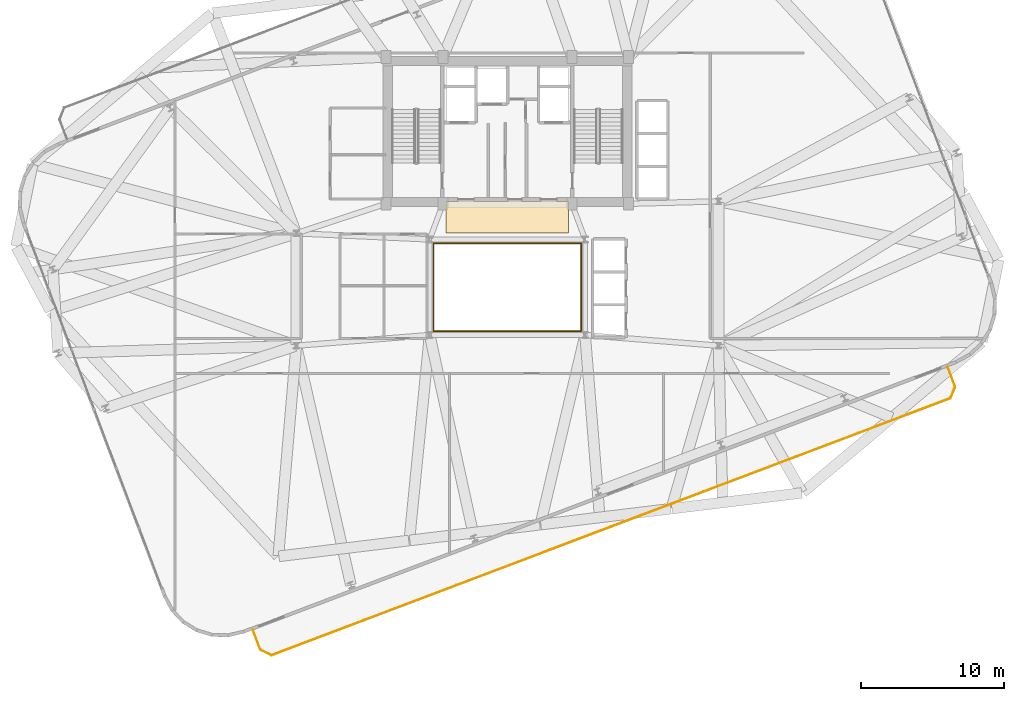
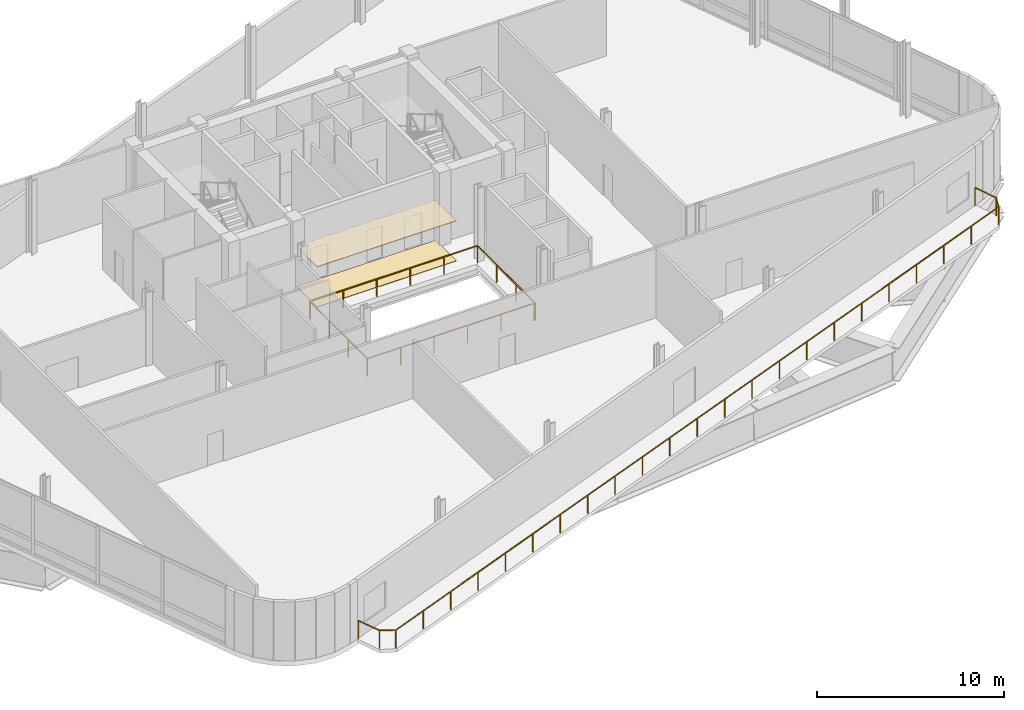
# One storey, part 16 of 19: 3 railings, 2 coverings.
"""IFC4 building model written with IfcOpenShell, lengths in metres."""

from ifc_helpers import new_model, si_unit, direction, frame, origin, origin_2d, place, context, subcontext, project, spatial, rectangle, circle, extrude, source, transform, mapped, material, layer, layer_set, type_object, element, save


model = new_model("IFC4")

# Units and contexts
model_context = context("Model", 3, precision=1e-05, world=origin(), true_north=direction((0.0, 1.0)))
body_context = subcontext(model_context, "Body", "Model", "MODEL_VIEW")
ifc_project = project(units=[si_unit("LENGTHUNIT", "METRE"), si_unit("AREAUNIT", "SQUARE_METRE"), si_unit("VOLUMEUNIT", "CUBIC_METRE"), si_unit("PLANEANGLEUNIT", "RADIAN"), si_unit("MASSUNIT", "GRAM", prefix="KILO")], contexts=[model_context])

# Site, building, storey
site_placement = place(None, origin())
site = spatial("IfcSite", under=ifc_project, at=site_placement, CompositionType="ELEMENT")
building_placement = place(site_placement, origin())
building = spatial("IfcBuilding", under=site, at=building_placement, Name="Varnelok Gate Tower", CompositionType="ELEMENT")
storey_placement = place(building_placement, frame((0.0, 0.0, 207.89990234375)))
storey = spatial("IfcBuildingStorey", under=building, at=storey_placement, Name="L53", CompositionType="ELEMENT", Elevation=207.89990234375)

# Railings
ifc_material_1 = material(Name="Tempered Laminated Balustrade Glass", Category="glass")
railing_type_1 = type_object("IfcRailingType", Name="RL-ATR-GUARD1150", PredefinedType="GUARDRAIL", material=ifc_material_1)
railing_1_placement = place(storey_placement, frame((34.02001953125, 25.929931640625, 0.0)))
element("IfcRailing", 1, at=railing_1_placement, inside=storey, type_object=railing_type_1, Name="L53 Internal Atrium South-West Guardrail", PredefinedType="GUARDRAIL", context=body_context, shape_type="SweptSolid", body=[
    extrude(circle(Radius=0.02392578125, at=origin_2d()), frame((0.0, 0.0, 1.1259765625), z_axis=(0.0, -1.0, 0.0), x_axis=(1.0, 0.0, 0.0)), (0.0, 0.0, 1.0), 6.10986328125),
    extrude(circle(Radius=0.02392578125, at=origin_2d()), frame((0.0, -6.10986328125, 1.1259765625), z_axis=(1.0, 0.0, 0.0), x_axis=(0.0, 1.0, 0.0)), (0.0, 0.0, 1.0), 10.31005859375),
    extrude(circle(Radius=0.02099609375, at=origin_2d()), origin(), (0.0, 0.0, 1.0), 1.101806640625),
    extrude(circle(Radius=0.02099609375, at=origin_2d()), frame((0.0, -2.03662109375, 0.0)), (0.0, 0.0, 1.0), 1.101806640625),
    extrude(circle(Radius=0.02099609375, at=origin_2d()), frame((0.0, -4.0732421875, 0.0)), (0.0, 0.0, 1.0), 1.101806640625),
    extrude(circle(Radius=0.02099609375, at=origin_2d()), frame((0.0, -6.10986328125, 0.0)), (0.0, 0.0, 1.0), 1.101806640625),
    extrude(circle(Radius=0.02099609375, at=origin_2d()), frame((2.06201171875, -6.10986328125, 0.0)), (0.0, 0.0, 1.0), 1.101806640625),
    extrude(circle(Radius=0.02099609375, at=origin_2d()), frame((4.1240234375, -6.10986328125, 0.0)), (0.0, 0.0, 1.0), 1.101806640625),
    extrude(circle(Radius=0.02099609375, at=origin_2d()), frame((6.18603515625, -6.10986328125, 0.0)), (0.0, 0.0, 1.0), 1.101806640625),
    extrude(circle(Radius=0.02099609375, at=origin_2d()), frame((8.248046875, -6.10986328125, 0.0)), (0.0, 0.0, 1.0), 1.101806640625),
    extrude(circle(Radius=0.02099609375, at=origin_2d()), frame((10.31005859375, -6.10986328125, 0.0)), (0.0, 0.0, 1.0), 1.101806640625),
])
railing_2_placement = place(storey_placement, frame((44.3798828125, 19.820068359375, 0.0)))
element("IfcRailing", 2, at=railing_2_placement, inside=storey, type_object=railing_type_1, Name="L53 Internal Atrium North-East Guardrail", PredefinedType="GUARDRAIL", context=body_context, shape_type="SweptSolid", body=[
    extrude(circle(Radius=0.02392578125, at=origin_2d()), frame((0.0, 0.0, 1.1259765625), z_axis=(0.0, 1.0, 0.0), x_axis=(-1.0, 0.0, 0.0)), (0.0, 0.0, 1.0), 6.159912109375),
    extrude(circle(Radius=0.02392578125, at=origin_2d()), frame((0.0, 6.159912109375, 1.1259765625), z_axis=(-1.0, 0.0, 0.0), x_axis=(0.0, -1.0, 0.0)), (0.0, 0.0, 1.0), 10.35986328125),
    extrude(circle(Radius=0.02099609375, at=origin_2d()), origin(), (0.0, 0.0, 1.0), 1.101806640625),
    extrude(circle(Radius=0.02099609375, at=origin_2d()), frame((0.0, 2.05322265625, 0.0)), (0.0, 0.0, 1.0), 1.101806640625),
    extrude(circle(Radius=0.02099609375, at=origin_2d()), frame((0.0, 4.106689453125, 0.0)), (0.0, 0.0, 1.0), 1.101806640625),
    extrude(circle(Radius=0.02099609375, at=origin_2d()), frame((0.0, 6.159912109375, 0.0)), (0.0, 0.0, 1.0), 1.101806640625),
    extrude(circle(Radius=0.02099609375, at=origin_2d()), frame((-2.072021484375, 6.159912109375, 0.0)), (0.0, 0.0, 1.0), 1.101806640625),
    extrude(circle(Radius=0.02099609375, at=origin_2d()), frame((-4.14404296875, 6.159912109375, 0.0)), (0.0, 0.0, 1.0), 1.101806640625),
    extrude(circle(Radius=0.02099609375, at=origin_2d()), frame((-6.2158203125, 6.159912109375, 0.0)), (0.0, 0.0, 1.0), 1.101806640625),
    extrude(circle(Radius=0.02099609375, at=origin_2d()), frame((-8.287841796875, 6.159912109375, 0.0)), (0.0, 0.0, 1.0), 1.101806640625),
    extrude(circle(Radius=0.02099609375, at=origin_2d()), frame((-10.35986328125, 6.159912109375, 0.0)), (0.0, 0.0, 1.0), 1.101806640625),
])
ifc_material_2 = material(Name="Anodized Aluminum Alloy 6063-T6", Category="aluminium")
railing_type_2 = type_object("IfcRailingType", Name="RL-SKYG-1200", PredefinedType="GUARDRAIL", material=ifc_material_2)
railing_3_placement = place(storey_placement, frame((21.361572265625, -1.1279296875, 0.0)))
element("IfcRailing", 3, at=railing_3_placement, inside=storey, type_object=railing_type_2, Name="L53 South Terrace Balustrade 1", PredefinedType="GUARDRAIL", context=body_context, shape_type="SweptSolid", body=[
    extrude(circle(Radius=0.02392578125, at=origin_2d()), frame((0.0, 0.0, 1.17578125), z_axis=(0.354088417467, -0.935211950638, 0.0), x_axis=(0.935211950638, 0.354088417467, 0.0)), (0.0, 0.0, 1.0), 1.469970703125),
    extrude(circle(Radius=0.02392578125, at=origin_2d()), frame((0.5205078125, -1.374755859375, 1.17578125), z_axis=(0.89078254773, -0.454429810487, 0.0), x_axis=(0.454429810487, 0.89078254773, 0.0)), (0.0, 0.0, 1.0), 0.8779296875),
    extrude(circle(Radius=0.02392578125, at=origin_2d()), frame((1.302490234375, -1.773681640625, 1.17578125), z_axis=(0.935222094944, 0.35406162335, 0.0), x_axis=(-0.35406162335, 0.935222094944, 0.0)), (0.0, 0.0, 1.0), 50.89990234375),
    extrude(circle(Radius=0.02392578125, at=origin_2d()), frame((48.9052734375, 16.248046875, 1.17578125), z_axis=(0.366254584666, 0.930514685113, 0.0), x_axis=(-0.930514685113, 0.366254584666, 0.0)), (0.0, 0.0, 1.0), 0.8779296875),
    extrude(circle(Radius=0.02392578125, at=origin_2d()), frame((49.226806640625, 17.06494140625, 1.17578125), z_axis=(-0.354088417467, 0.935211950638, 0.0), x_axis=(-0.935211950638, -0.354088417467, 0.0)), (0.0, 0.0, 1.0), 1.469970703125),
    extrude(circle(Radius=0.02099609375, at=origin_2d()), origin(), (0.0, 0.0, 1.0), 1.15185546875),
    extrude(circle(Radius=0.02099609375, at=origin_2d()), frame((0.5205078125, -1.374755859375, 0.0)), (0.0, 0.0, 1.0), 1.15185546875),
    extrude(circle(Radius=0.02099609375, at=origin_2d()), frame((1.302490234375, -1.773681640625, 0.0)), (0.0, 0.0, 1.0), 1.15185546875),
    extrude(circle(Radius=0.02099609375, at=origin_2d()), frame((3.46630859375, -0.95458984375, 0.0)), (0.0, 0.0, 1.0), 1.15185546875),
    extrude(circle(Radius=0.02099609375, at=origin_2d()), frame((5.630126953125, -0.13525390625, 0.0)), (0.0, 0.0, 1.0), 1.15185546875),
    extrude(circle(Radius=0.02099609375, at=origin_2d()), frame((7.793701171875, 0.683837890625, 0.0)), (0.0, 0.0, 1.0), 1.15185546875),
    extrude(circle(Radius=0.02099609375, at=origin_2d()), frame((9.95751953125, 1.5029296875, 0.0)), (0.0, 0.0, 1.0), 1.15185546875),
    extrude(circle(Radius=0.02099609375, at=origin_2d()), frame((12.121337890625, 2.322265625, 0.0)), (0.0, 0.0, 1.0), 1.15185546875),
    extrude(circle(Radius=0.02099609375, at=origin_2d()), frame((14.28515625, 3.141357421875, 0.0)), (0.0, 0.0, 1.0), 1.15185546875),
    extrude(circle(Radius=0.02099609375, at=origin_2d()), frame((16.44873046875, 3.96044921875, 0.0)), (0.0, 0.0, 1.0), 1.15185546875),
    extrude(circle(Radius=0.02099609375, at=origin_2d()), frame((18.612548828125, 4.77978515625, 0.0)), (0.0, 0.0, 1.0), 1.15185546875),
    extrude(circle(Radius=0.02099609375, at=origin_2d()), frame((20.7763671875, 5.598876953125, 0.0)), (0.0, 0.0, 1.0), 1.15185546875),
    extrude(circle(Radius=0.02099609375, at=origin_2d()), frame((22.940185546875, 6.41796875, 0.0)), (0.0, 0.0, 1.0), 1.15185546875),
    extrude(circle(Radius=0.02099609375, at=origin_2d()), frame((25.10400390625, 7.2373046875, 0.0)), (0.0, 0.0, 1.0), 1.15185546875),
    extrude(circle(Radius=0.02099609375, at=origin_2d()), frame((27.267578125, 8.056396484375, 0.0)), (0.0, 0.0, 1.0), 1.15185546875),
    extrude(circle(Radius=0.02099609375, at=origin_2d()), frame((29.431396484375, 8.87548828125, 0.0)), (0.0, 0.0, 1.0), 1.15185546875),
    extrude(circle(Radius=0.02099609375, at=origin_2d()), frame((31.59521484375, 9.694580078125, 0.0)), (0.0, 0.0, 1.0), 1.15185546875),
    extrude(circle(Radius=0.02099609375, at=origin_2d()), frame((33.759033203125, 10.513916015625, 0.0)), (0.0, 0.0, 1.0), 1.15185546875),
    extrude(circle(Radius=0.02099609375, at=origin_2d()), frame((35.922607421875, 11.3330078125, 0.0)), (0.0, 0.0, 1.0), 1.15185546875),
    extrude(circle(Radius=0.02099609375, at=origin_2d()), frame((38.08642578125, 12.152099609375, 0.0)), (0.0, 0.0, 1.0), 1.15185546875),
    extrude(circle(Radius=0.02099609375, at=origin_2d()), frame((40.250244140625, 12.971435546875, 0.0)), (0.0, 0.0, 1.0), 1.15185546875),
    extrude(circle(Radius=0.02099609375, at=origin_2d()), frame((42.4140625, 13.79052734375, 0.0)), (0.0, 0.0, 1.0), 1.15185546875),
    extrude(circle(Radius=0.02099609375, at=origin_2d()), frame((44.57763671875, 14.609619140625, 0.0)), (0.0, 0.0, 1.0), 1.15185546875),
    extrude(circle(Radius=0.02099609375, at=origin_2d()), frame((46.741455078125, 15.428955078125, 0.0)), (0.0, 0.0, 1.0), 1.15185546875),
    extrude(circle(Radius=0.02099609375, at=origin_2d()), frame((48.9052734375, 16.248046875, 0.0)), (0.0, 0.0, 1.0), 1.15185546875),
    extrude(circle(Radius=0.02099609375, at=origin_2d()), frame((49.226806640625, 17.06494140625, 0.0)), (0.0, 0.0, 1.0), 1.15185546875),
    extrude(circle(Radius=0.02099609375, at=origin_2d()), frame((48.706298828125, 18.439697265625, 0.0)), (0.0, 0.0, 1.0), 1.15185546875),
])

# Coverings
ifc_material_3 = material(Name="Honed Travertine Stone Flooring", Category="masonry")
ifc_layer_1 = layer(ifc_material_3, 0.02490234375)
ifc_layer_set_1 = layer_set([ifc_layer_1], Name="Honed Travertine Stone Flooring")
covering_type_1 = type_object("IfcCoveringType", Name="COV-FLOR-STONE", PredefinedType="FLOORING", material=ifc_layer_set_1)
shared_shape_1 = source(origin(), body_context, "Body", "SweptSolid", [
    extrude(rectangle(XDim=8.60009765625, YDim=2.219970703125, at=origin_2d()), origin(), (0.0, 0.0, 1.0), 0.02490234375),
])
covering_1_placement = place(storey_placement, frame((39.199951171875, 27.800048828125, 0.000244140625), z_axis=(0.0, 0.0, 1.0), x_axis=(1.0, 0.0, 0.0)))
element("IfcCovering", 4, at=covering_1_placement, inside=storey, type_object=covering_type_1, Name="L53 Core Gallery Stone Flooring", PredefinedType="FLOORING", context=body_context, shape_type="MappedRepresentation", body=[
    mapped(shared_shape_1, transform((0.0, 0.0, 0.0), scale=1.0)),
])
ifc_material_4 = material(Name="Mineral Fiber Acoustic Ceiling Tile")
ifc_layer_2 = layer(ifc_material_4, 0.0400390625)
ifc_layer_set_2 = layer_set([ifc_layer_2], Name="Mineral Fiber Acoustic Ceiling Tile")
covering_type_2 = type_object("IfcCoveringType", Name="COV-CEIL-ACOUST", PredefinedType="CEILING", material=ifc_layer_set_2)
shared_shape_2 = source(origin(), body_context, "Body", "SweptSolid", [
    extrude(rectangle(XDim=8.60009765625, YDim=2.239990234375, at=origin_2d()), origin(), (0.0, 0.0, 1.0), 0.0400390625),
])
covering_2_placement = place(storey_placement, frame((39.199951171875, 27.820068359375, 2.60009765625), z_axis=(0.0, 0.0, 1.0), x_axis=(1.0, 0.0, 0.0)))
element("IfcCovering", 5, at=covering_2_placement, inside=storey, type_object=covering_type_2, Name="L53 Core Gallery Acoustic Ceiling", PredefinedType="CEILING", context=body_context, shape_type="MappedRepresentation", body=[
    mapped(shared_shape_2, transform((0.0, 0.0, 0.0), scale=1.0)),
])

save(model, "model.ifc")
